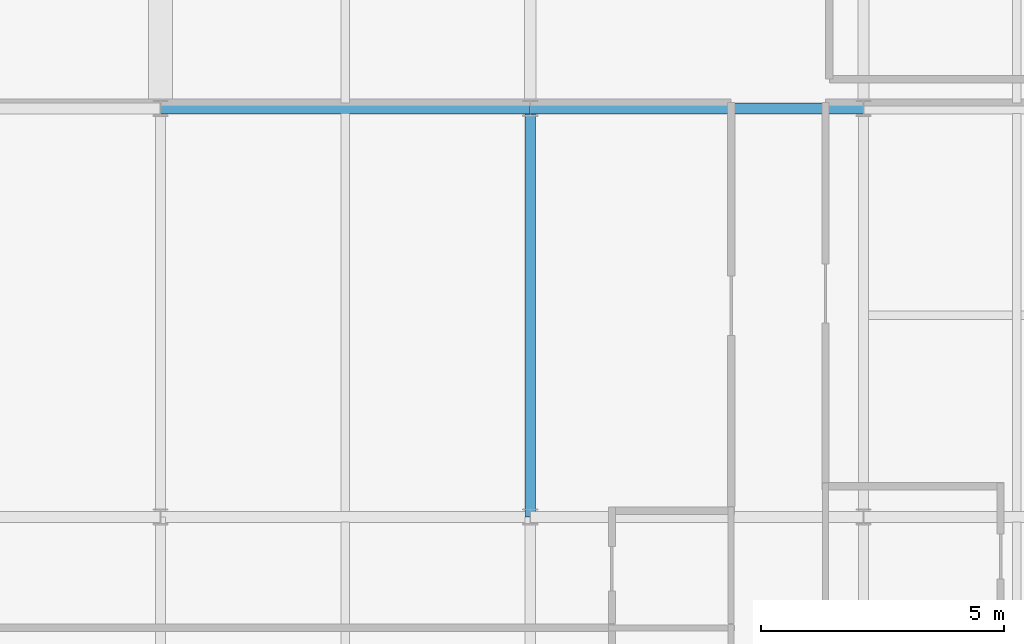
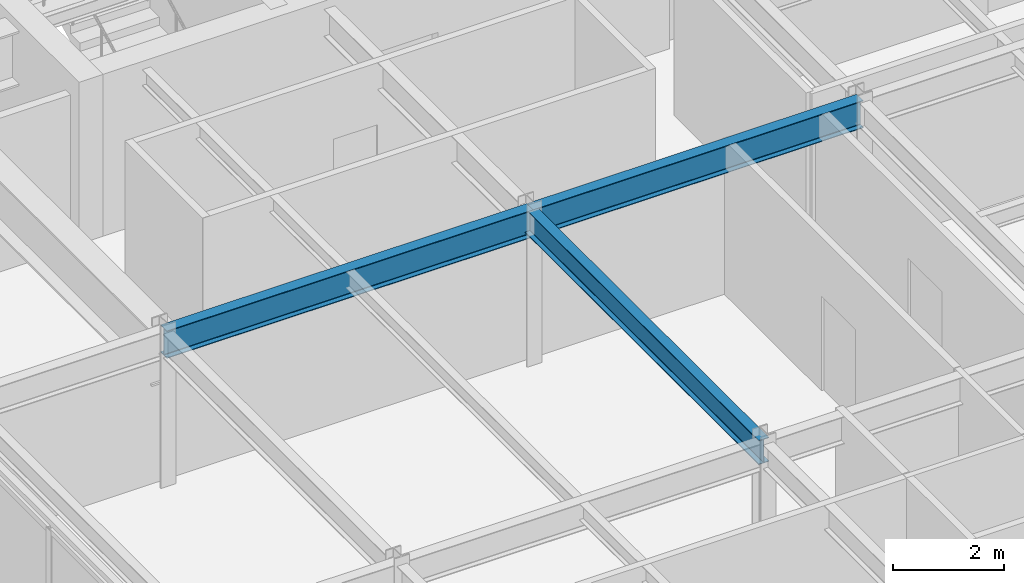
# One storey, part 8 of 19: 3 beams.
"""IFC4 building model written with IfcOpenShell, lengths in metres."""

from ifc_helpers import new_model, si_unit, direction, frame, origin, origin_2d, place, context, subcontext, project, spatial, i_section, extrude, source, transform, mapped, material, material_profile, profile_set, type_object, type_shapes, element, save


model = new_model("IFC4")

# Units and contexts
model_context = context("Model", 3, precision=1e-05, world=origin(), true_north=direction((0.0, 1.0)))
body_context = subcontext(model_context, "Body", "Model", "MODEL_VIEW")
ifc_project = project(units=[si_unit("LENGTHUNIT", "METRE"), si_unit("AREAUNIT", "SQUARE_METRE"), si_unit("VOLUMEUNIT", "CUBIC_METRE"), si_unit("PLANEANGLEUNIT", "RADIAN"), si_unit("MASSUNIT", "GRAM", prefix="KILO")], contexts=[model_context])

# Site, building, storey
site_placement = place(None, origin())
site = spatial("IfcSite", under=ifc_project, at=site_placement, CompositionType="ELEMENT")
building_placement = place(site_placement, origin())
building = spatial("IfcBuilding", under=site, at=building_placement, Name="Tolvann Quenvar Hotel", CompositionType="ELEMENT")
storey_placement = place(building_placement, frame((0.0, 0.0, 223.89990234375)))
storey = spatial("IfcBuildingStorey", under=building, at=storey_placement, Name="L59", CompositionType="ELEMENT", Elevation=223.89990234375)

# Beams
ifc_material = material(Name="Steel Grade 350", Category="steel")
ifc_material_profile_1 = material_profile(ifc_material, i_section(OverallWidth=0.208984375, OverallDepth=0.532958984375, WebThickness=0.01025390625, FlangeThickness=0.015625, FilletRadius=0.013916015625, at=origin_2d()), Name="530UB92")
ifc_profile_set_1 = profile_set([ifc_material_profile_1], Name="Steel Grade 350")
beam_type_1 = type_object("IfcBeamType", Name="BM_GIRD_530UB92", PredefinedType="BEAM", material=ifc_profile_set_1)
shared_shape_1 = source(origin(), body_context, "Body", "SweptSolid", [
    extrude(i_section(OverallWidth=0.208984375, OverallDepth=0.532958984375, WebThickness=0.01025390625, FlangeThickness=0.015625, FilletRadius=0.013916015625, at=origin_2d()), origin(), (0.0, 0.0, 1.0), 8.39990234375),
])
type_shapes(beam_type_1, [shared_shape_1])
beam_1_placement = place(storey_placement, frame((15.199951171875, 16.0, 3.103515625), z_axis=(0.0, 1.0, 0.0), x_axis=(-1.0, 0.0, 0.0)))
element("IfcBeam", 1, at=beam_1_placement, inside=storey, type_object=beam_type_1, Name="BM-L59-NS-D4-D5", PredefinedType="BEAM", context=body_context, shape_type="MappedRepresentation", body=[
    mapped(shared_shape_1, transform((0.0, 0.0, 0.0), x_axis=(1.0, 0.0, 0.0), y_axis=(0.0, 1.0, 0.0), z_axis=(0.0, 0.0, 1.0), scale=1.0)),
])
ifc_material_profile_2 = material_profile(ifc_material, i_section(OverallWidth=0.22802734375, OverallDepth=0.60205078125, WebThickness=0.010498046875, FlangeThickness=0.014892578125, FilletRadius=0.013916015625, at=origin_2d()), Name="610UB101")
ifc_profile_set_2 = profile_set([ifc_material_profile_2], Name="Steel Grade 350")
beam_type_2 = type_object("IfcBeamType", Name="BM_GIRD_610UB101", PredefinedType="BEAM", material=ifc_profile_set_2)
shared_shape_2 = source(origin(), body_context, "Body", "SweptSolid", [
    extrude(i_section(OverallWidth=0.22802734375, OverallDepth=0.60205078125, WebThickness=0.010498046875, FlangeThickness=0.014892578125, FilletRadius=0.013916015625, at=origin_2d()), origin(), (0.0, 0.0, 1.0), 7.599853515625),
])
beam_2_placement = place(storey_placement, frame((7.60009765625, 24.39990234375, 3.069091796875), z_axis=(1.0, 0.0, 0.0), x_axis=(0.0, 1.0, 0.0)))
element("IfcBeam", 2, at=beam_2_placement, inside=storey, type_object=beam_type_2, Name="BM-L59-EW-5-C5-D5", PredefinedType="BEAM", context=body_context, shape_type="MappedRepresentation", body=[
    mapped(shared_shape_2, transform((0.0, 0.0, 0.0), x_axis=(1.0, 0.0, 0.0), y_axis=(0.0, 1.0, 0.0), z_axis=(0.0, 0.0, 1.0), scale=1.0)),
])
shared_shape_3 = source(origin(), body_context, "Body", "SweptSolid", [
    extrude(i_section(OverallWidth=0.22802734375, OverallDepth=0.60205078125, WebThickness=0.010498046875, FlangeThickness=0.014892578125, FilletRadius=0.013916015625, at=origin_2d()), origin(), (0.0, 0.0, 1.0), 6.85009765625),
])
type_shapes(beam_type_2, [shared_shape_2, shared_shape_3])
beam_3_placement = place(storey_placement, frame((15.199951171875, 24.39990234375, 3.069091796875), z_axis=(1.0, 0.0, 0.0), x_axis=(0.0, 1.0, 0.0)))
element("IfcBeam", 3, at=beam_3_placement, inside=storey, type_object=beam_type_2, Name="BM-L59-EW-5-D5-E5", PredefinedType="BEAM", context=body_context, shape_type="MappedRepresentation", body=[
    mapped(shared_shape_3, transform((0.0, 0.0, 0.0), x_axis=(1.0, 0.0, 0.0), y_axis=(0.0, 1.0, 0.0), z_axis=(0.0, 0.0, 1.0), scale=1.0)),
])

save(model, "model.ifc")
